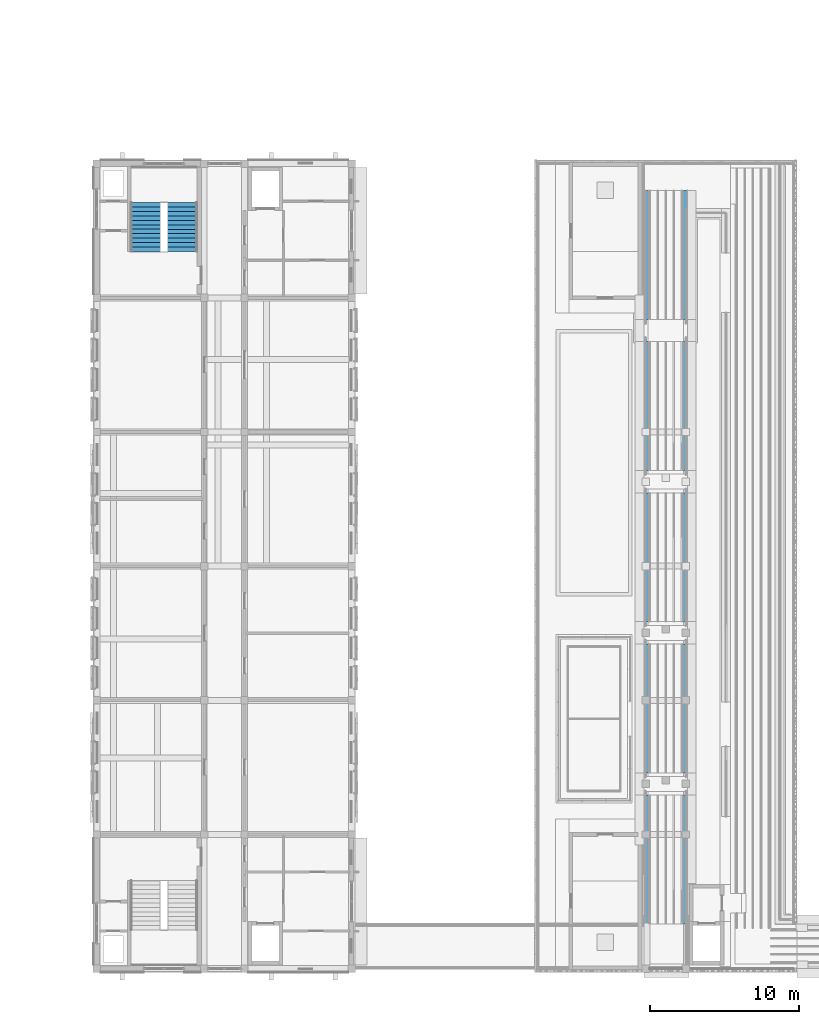
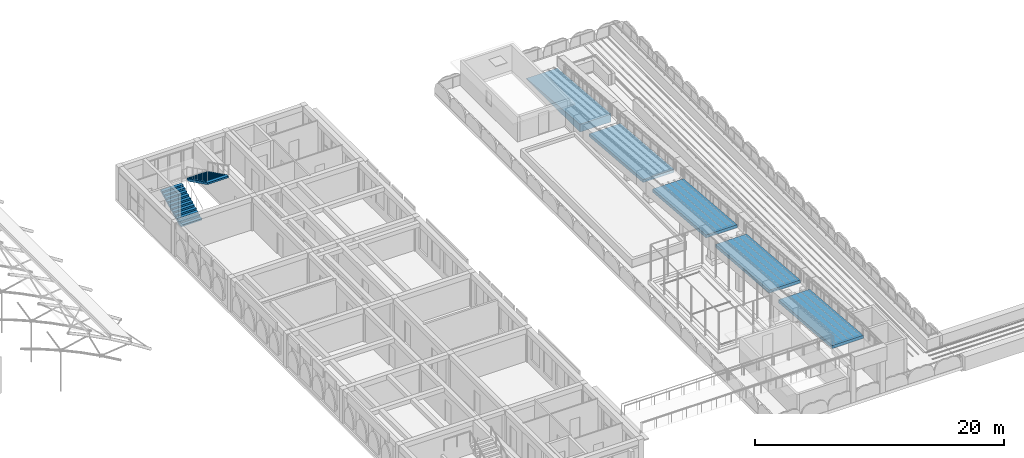
# One storey, part 33 of 50: 5 ramp flights, 2 stair flights, 2 elements without a shape of their own.
"""IFC4 building model written with IfcOpenShell, lengths in metres."""

from ifc_helpers import new_model, si_unit, direction, frame, origin, place, context, subcontext, project, spatial, polyline, outline, extrude, material, layer, layer_set, type_object, element, aggregate, save


model = new_model("IFC4")

# Units and contexts
model_context = context("Model", 3, precision=1e-05, world=origin(), true_north=direction((0.0, 1.0)))
body_context = subcontext(model_context, "Body", "Model", "MODEL_VIEW")
ifc_project = project(units=[si_unit("LENGTHUNIT", "METRE"), si_unit("AREAUNIT", "SQUARE_METRE"), si_unit("VOLUMEUNIT", "CUBIC_METRE"), si_unit("PLANEANGLEUNIT", "RADIAN"), si_unit("MASSUNIT", "GRAM", prefix="KILO")], contexts=[model_context])

# Site, building, storey
site_placement = place(None, origin())
site = spatial("IfcSite", under=ifc_project, at=site_placement, CompositionType="ELEMENT")
building_placement = place(site_placement, origin())
building = spatial("IfcBuilding", under=site, at=building_placement, Name="Elbe Cascade School", CompositionType="ELEMENT")
storey_placement = place(building_placement, frame((0.0, 0.0, 15.300048828125)))
storey = spatial("IfcBuildingStorey", under=building, at=storey_placement, Name="L04", CompositionType="ELEMENT", Elevation=15.300048828125)

# Stair, stair flights
ifc_material_1 = material(Name="Concrete C30/37", Category="concrete")
stair_type = type_object("IfcStairType", Name="Bar stair RC 150", PredefinedType="HALF_TURN_STAIR", material=ifc_material_1)
stair_placement = place(storey_placement, origin())
stair = element("IfcStair", 1, at=stair_placement, inside=storey, type_object=stair_type, Name="Stair A4.N", PredefinedType="HALF_TURN_STAIR")
ifc_material_2 = material(Name="Concrete C30/37", Category="concrete")
stair_flight_type = type_object("IfcStairFlightType", Name="Bar stair flight RC", PredefinedType="STRAIGHT", material=ifc_material_2)
stair_flight_1_placement = place(storey_placement, frame((72.27490234375, 54.10009765625, 0.0), z_axis=(0.0, 0.0, 1.0), x_axis=(0.0, 1.0, 0.0)))
stair_flight_1 = element("IfcStairFlight", 2, at=stair_flight_1_placement, type_object=stair_flight_type, Name="ST3 flight 1", NumberOfRisers=12, NumberOfTreads=11, PredefinedType="STRAIGHT", RiserHeight=0.15, TreadLength=0.3, context=body_context, shape_type="SweptSolid", body=[
    extrude(outline(polyline([(0.0, 0.0), (0.0, 0.14990234375), (0.300048828125, 0.14990234375), (0.300048828125, 0.300048828125), (0.60009765625, 0.300048828125), (0.60009765625, 0.449951171875), (0.89990234375, 0.449951171875), (0.89990234375, 0.60009765625), (1.199951171875, 0.60009765625), (1.199951171875, 0.75), (1.5, 0.75), (1.5, 0.89990234375), (1.800048828125, 0.89990234375), (1.800048828125, 1.050048828125), (2.10009765625, 1.050048828125), (2.10009765625, 1.199951171875), (2.39990234375, 1.199951171875), (2.39990234375, 1.35009765625), (2.699951171875, 1.35009765625), (2.699951171875, 1.5), (3.0, 1.5), (3.0, 1.64990234375), (3.300048828125, 1.64990234375), (3.300048828125, 1.800048828125), (3.300048828125, 1.482421875), (0.335205078125, 0.0), (0.0, 0.0)])), frame((0.0, 0.97509765625, 0.0), z_axis=(0.0, -1.0, 0.0), x_axis=(1.0, 0.0, 0.0)), (0.0, 0.0, 1.0), 1.949951171875),
])
stair_flight_2_placement = place(storey_placement, frame((74.72509765625, 57.39990234375, 1.800048828125), z_axis=(0.0, 0.0, 1.0), x_axis=(0.0, -1.0, 0.0)))
stair_flight_2 = element("IfcStairFlight", 3, at=stair_flight_2_placement, type_object=stair_flight_type, Name="ST3 flight 2", NumberOfRisers=12, NumberOfTreads=11, PredefinedType="STRAIGHT", RiserHeight=0.15, TreadLength=0.3, context=body_context, shape_type="SweptSolid", body=[
    extrude(outline(polyline([(0.0, 0.0), (0.0, 0.14990234375), (0.300048828125, 0.14990234375), (0.300048828125, 0.300048828125), (0.60009765625, 0.300048828125), (0.60009765625, 0.449951171875), (0.89990234375, 0.449951171875), (0.89990234375, 0.60009765625), (1.199951171875, 0.60009765625), (1.199951171875, 0.75), (1.5, 0.75), (1.5, 0.89990234375), (1.800048828125, 0.89990234375), (1.800048828125, 1.050048828125), (2.10009765625, 1.050048828125), (2.10009765625, 1.199951171875), (2.39990234375, 1.199951171875), (2.39990234375, 1.35009765625), (2.699951171875, 1.35009765625), (2.699951171875, 1.5), (3.0, 1.5), (3.0, 1.64990234375), (3.300048828125, 1.64990234375), (3.300048828125, 1.800048828125), (3.300048828125, 1.482421875), (0.335205078125, 0.0), (0.0, 0.0)])), frame((0.0, 0.97509765625, 0.0), z_axis=(0.0, -1.0, 0.0), x_axis=(1.0, 0.0, 0.0)), (0.0, 0.0, 1.0), 1.949951171875),
])
aggregate(stair, [stair_flight_1, stair_flight_2])

# Ramp, ramp flights
ifc_material_3 = material(Name="Concrete C30/37", Category="concrete")
ramp_type = type_object("IfcRampType", Name="Roof ramp", PredefinedType="STRAIGHT_RUN_RAMP", material=ifc_material_3)
ramp_placement = place(storey_placement, origin())
ramp = element("IfcRamp", 4, at=ramp_placement, inside=storey, type_object=ramp_type, Name="Roof ramp B", PredefinedType="STRAIGHT_RUN_RAMP")
ifc_material_4 = material(Name="Concrete C30/37", Category="concrete")
ifc_layer = layer(ifc_material_4, 0.300048828125)
ifc_layer_set = layer_set([ifc_layer], Name="Concrete C30/37")
ramp_flight_type_1 = type_object("IfcRampFlightType", Name="Roof ramp flight 300", PredefinedType="STRAIGHT", material=ifc_layer_set)
ramp_flight_1_placement = place(storey_placement, frame((107.14990234375, 9.0, 3.659912109375), z_axis=(0.0, 0.0, 1.0), x_axis=(0.0, 1.0, 0.0)))
ramp_flight_1 = element("IfcRampFlight", 5, at=ramp_flight_1_placement, type_object=ramp_flight_type_1, Name="Roof ramp B flight 1", PredefinedType="STRAIGHT", context=body_context, shape_type="SweptSolid", body=[
    extrude(outline(polyline([(0.0, -0.300048828125), (8.639892578125, -1.02001953125), (8.639892578125, -0.719970703125), (0.0, 0.0), (0.0, -0.300048828125)])), frame((0.0, 1.4501953125, 0.0), z_axis=(0.0, -1.0, 0.0), x_axis=(1.0, 0.0, 0.0)), (0.0, 0.0, 1.0), 2.900146484375),
])
ramp_flight_2_placement = place(storey_placement, frame((107.14990234375, 19.139892578125, 2.93994140625), z_axis=(0.0, 0.0, 1.0), x_axis=(0.0, 1.0, 0.0)))
ramp_flight_2 = element("IfcRampFlight", 6, at=ramp_flight_2_placement, type_object=ramp_flight_type_1, Name="Roof ramp B flight 2", PredefinedType="STRAIGHT", context=body_context, shape_type="SweptSolid", body=[
    extrude(outline(polyline([(0.0, -0.300048828125), (8.64013671875, -1.02001953125), (8.64013671875, -0.719970703125), (0.0, 0.0), (0.0, -0.300048828125)])), frame((0.0, 1.4501953125, 0.0), z_axis=(0.0, -1.0, 0.0), x_axis=(1.0, 0.0, 0.0)), (0.0, 0.0, 1.0), 2.900146484375),
])
ramp_flight_3_placement = place(storey_placement, frame((107.14990234375, 29.280029296875, 2.219970703125), z_axis=(0.0, 0.0, 1.0), x_axis=(0.0, 1.0, 0.0)))
ramp_flight_3 = element("IfcRampFlight", 7, at=ramp_flight_3_placement, type_object=ramp_flight_type_1, Name="Roof ramp B flight 3", PredefinedType="STRAIGHT", context=body_context, shape_type="SweptSolid", body=[
    extrude(outline(polyline([(0.0, -0.300048828125), (8.639892578125, -1.02001953125), (8.639892578125, -0.719970703125), (0.0, 0.0), (0.0, -0.300048828125)])), frame((0.0, 1.4501953125, 0.0), z_axis=(0.0, -1.0, 0.0), x_axis=(1.0, 0.0, 0.0)), (0.0, 0.0, 1.0), 2.900146484375),
])
ramp_flight_4_placement = place(storey_placement, frame((107.14990234375, 39.419921875, 1.5), z_axis=(0.0, 0.0, 1.0), x_axis=(0.0, 1.0, 0.0)))
ramp_flight_4 = element("IfcRampFlight", 8, at=ramp_flight_4_placement, type_object=ramp_flight_type_1, Name="Roof ramp B flight 4", PredefinedType="STRAIGHT", context=body_context, shape_type="SweptSolid", body=[
    extrude(outline(polyline([(0.0, -0.300048828125), (8.64013671875, -1.02001953125), (8.64013671875, -0.719970703125), (0.0, 0.0), (0.0, -0.300048828125)])), frame((0.0, 1.4501953125, 0.0), z_axis=(0.0, -1.0, 0.0), x_axis=(1.0, 0.0, 0.0)), (0.0, 0.0, 1.0), 2.900146484375),
])
ifc_material_5 = material(Name="Concrete C30/37", Category="concrete")
ramp_flight_type_2 = type_object("IfcRampFlightType", Name="Roof ramp flight on deck", PredefinedType="STRAIGHT", material=ifc_material_5)
ramp_flight_5_placement = place(storey_placement, frame((105.699951171875, 49.56005859375, 0.0), z_axis=(1.0, 0.0, 0.0), x_axis=(0.0, 1.0, 0.0)))
ramp_flight_5 = element("IfcRampFlight", 9, at=ramp_flight_5_placement, type_object=ramp_flight_type_2, Name="Roof ramp B flight 5", PredefinedType="STRAIGHT", context=body_context, shape_type="SweptSolid", body=[
    extrude(outline(polyline([(0.0, 0.0), (8.639892578125, 0.0), (8.639892578125, 0.06005859375), (0.0, 0.780029296875), (0.0, 0.0)])), origin(), (0.0, 0.0, 1.0), 2.900146484375),
])
aggregate(ramp, [ramp_flight_1, ramp_flight_2, ramp_flight_3, ramp_flight_4, ramp_flight_5])

save(model, "model.ifc")
